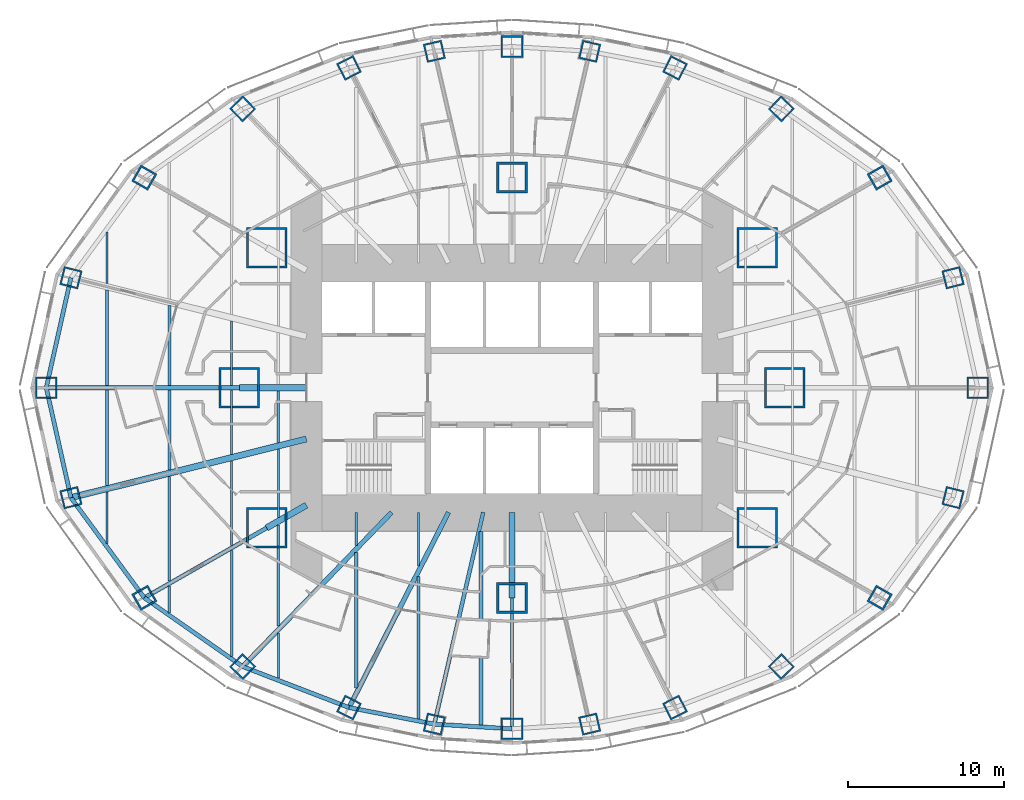
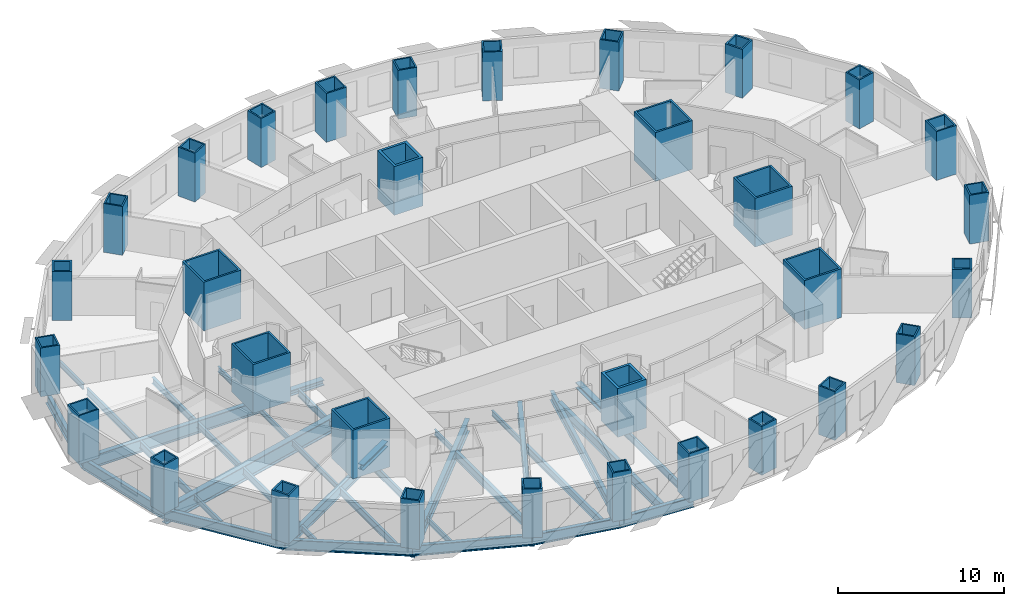
# One storey, part 1 of 15: 38 beams, 32 columns.
"""IFC4 building model written with IfcOpenShell, lengths in metres."""

from ifc_helpers import new_model, si_unit, direction, frame, origin, origin_2d, place, context, subcontext, project, spatial, rectangle, hollow_rectangle, i_section, extrude, material, material_profile, profile_set, type_object, element, save


model = new_model("IFC4")

# Units and contexts
model_context = context("Model", 3, precision=1e-05, world=origin(), true_north=direction((0.0, 1.0)))
body_context = subcontext(model_context, "Body", "Model", "MODEL_VIEW")
ifc_project = project(units=[si_unit("LENGTHUNIT", "METRE"), si_unit("AREAUNIT", "SQUARE_METRE"), si_unit("VOLUMEUNIT", "CUBIC_METRE"), si_unit("PLANEANGLEUNIT", "RADIAN"), si_unit("MASSUNIT", "GRAM", prefix="KILO")], contexts=[model_context])

# Site, building, storey
site_placement = place(None, origin())
site = spatial("IfcSite", under=ifc_project, at=site_placement, CompositionType="ELEMENT")
building_placement = place(site_placement, origin())
building = spatial("IfcBuilding", under=site, at=building_placement, Name="Lantaw Convention Tower", CompositionType="ELEMENT")
storey_placement = place(building_placement, frame((0.0, 0.0, 98.199951171875)))
storey = spatial("IfcBuildingStorey", under=building, at=storey_placement, Name="L23", CompositionType="ELEMENT", Elevation=98.199951171875)

# Columns
ifc_material_1 = material(Name="Steel EN 10025-3 S460N", Category="steel")
ifc_material_profile_1 = material_profile(ifc_material_1, hollow_rectangle(XDim=2.0, YDim=2.0, WallThickness=0.169921875, at=origin_2d()), Name="BOX2000X170")
ifc_material_2 = material(Name="Concrete C60/75", Category="concrete")
ifc_material_profile_2 = material_profile(ifc_material_2, rectangle(XDim=1.659912109375, YDim=1.659912109375, at=origin_2d()), Name="Concrete fill of BOX2000X170")
ifc_profile_set_1 = profile_set([ifc_material_profile_1, ifc_material_profile_2], Name="Steel EN 10025-3 S460N")
column_type_1 = type_object("IfcColumnType", Name="Column MC BOX2000X170", PredefinedType="COLUMN", material=ifc_profile_set_1)
for number, where, z_axis, x_axis, name in (
    (1, (0.0, 13.5, 0.0), (0.0, 0.0, 1.0), (1.0, 0.0, 0.0), "Mega column M3"),
    (2, (0.0, -13.5, 0.0), (0.0, 0.0, 1.0), (1.0, 0.0, 0.0), "Mega column M7"),
):
    element("IfcColumn", number, at=place(storey_placement, frame(where, z_axis=z_axis, x_axis=x_axis)), inside=storey, type_object=column_type_1, Name=name, PredefinedType="COLUMN", context=body_context, shape_type="SweptSolid", body=[
        extrude(hollow_rectangle(XDim=2.0, YDim=2.0, WallThickness=0.169921875, at=origin_2d()), origin(), (0.0, 0.0, 1.0), 3.60009765625),
    ])
ifc_material_profile_3 = material_profile(ifc_material_1, hollow_rectangle(XDim=2.60009765625, YDim=2.60009765625, WallThickness=0.1298828125, at=origin_2d()), Name="BOX2600X130")
ifc_material_profile_4 = material_profile(ifc_material_2, rectangle(XDim=2.340087890625, YDim=2.340087890625, at=origin_2d()), Name="Concrete fill of BOX2600X130")
ifc_profile_set_2 = profile_set([ifc_material_profile_3, ifc_material_profile_4], Name="Steel EN 10025-3 S460N")
column_type_2 = type_object("IfcColumnType", Name="Column MC BOX2600X130", PredefinedType="COLUMN", material=ifc_profile_set_2)
for number, where, z_axis, x_axis, name in (
    (3, (17.5, 0.0, 0.0), (0.0, 0.0, 1.0), (1.0, 0.0, 0.0), "Mega column M1"),
    (4, (15.75, 9.0, 0.0), (0.0, 0.0, 1.0), (1.0, 0.0, 0.0), "Mega column M2"),
    (5, (-15.75, 9.0, 0.0), (0.0, 0.0, 1.0), (1.0, 0.0, 0.0), "Mega column M4"),
    (6, (-17.5, 0.0, 0.0), (0.0, 0.0, 1.0), (1.0, 0.0, 0.0), "Mega column M5"),
    (7, (-15.75, -9.0, 0.0), (0.0, 0.0, 1.0), (1.0, 0.0, 0.0), "Mega column M6"),
    (8, (15.75, -9.0, 0.0), (0.0, 0.0, 1.0), (1.0, 0.0, 0.0), "Mega column M8"),
):
    element("IfcColumn", number, at=place(storey_placement, frame(where, z_axis=z_axis, x_axis=x_axis)), inside=storey, type_object=column_type_2, Name=name, PredefinedType="COLUMN", context=body_context, shape_type="SweptSolid", body=[
        extrude(hollow_rectangle(XDim=2.60009765625, YDim=2.60009765625, WallThickness=0.1298828125, at=origin_2d()), origin(), (0.0, 0.0, 1.0), 3.60009765625),
    ])
ifc_material_profile_5 = material_profile(ifc_material_1, hollow_rectangle(XDim=1.199951171875, YDim=1.199951171875, WallThickness=0.10009765625, at=origin_2d()), Name="BOX1200X100")
ifc_material_profile_6 = material_profile(ifc_material_2, rectangle(XDim=1.0, YDim=1.0, at=origin_2d()), Name="Concrete fill of BOX1200X100")
ifc_profile_set_3 = profile_set([ifc_material_profile_5, ifc_material_profile_6], Name="Steel EN 10025-3 S460N")
column_type_3 = type_object("IfcColumnType", Name="Column PC BOX1200X100", PredefinedType="COLUMN", material=ifc_profile_set_3)
for number, where, z_axis, x_axis, name in (
    (9, (28.31787109375, 7.060302734375, 0.0), (0.0, 0.0, 1.0), (0.970295726276, 0.2419218956, 0.0), "Perimeter column P2"),
    (10, (17.290771484375, 17.9052734375, 0.0), (0.0, 0.0, 1.0), (0.694658370459, 0.719339800339, 0.0), "Perimeter column P4"),
    (11, (10.462646484375, 20.533935546875, 0.0), (0.0, 0.0, 1.0), (0.45399049974, 0.891006524188, 0.0), "Perimeter column P5"),
    (12, (4.986328125, 21.59814453125, 0.0), (0.0, 0.0, 1.0), (0.224951054344, 0.974370064785, 0.0), "Perimeter column P6"),
    (13, (-4.986328125, 21.59814453125, 0.0), (0.0, 0.0, 1.0), (0.974370064785, 0.224951054344, 0.0), "Perimeter column P8"),
    (14, (-10.462646484375, 20.533935546875, 0.0), (0.0, 0.0, 1.0), (0.891006524188, 0.45399049974, 0.0), "Perimeter column P9"),
    (15, (-17.290771484375, 17.9052734375, 0.0), (0.0, 0.0, 1.0), (0.719339800339, 0.694658370459, 0.0), "Perimeter column P10"),
    (16, (-28.31787109375, 7.060302734375, 0.0), (0.0, 0.0, 1.0), (0.2419218956, 0.970295726276, 0.0), "Perimeter column P12"),
    (17, (-28.31787109375, -7.060302734375, 0.0), (0.0, 0.0, 1.0), (0.970295726276, 0.2419218956, 0.0), "Perimeter column P14"),
    (18, (-17.290771484375, -17.9052734375, 0.0), (0.0, 0.0, 1.0), (0.694658370459, 0.719339800339, 0.0), "Perimeter column P16"),
    (19, (-10.462646484375, -20.533935546875, 0.0), (0.0, 0.0, 1.0), (0.45399049974, 0.891006524188, 0.0), "Perimeter column P17"),
    (20, (-4.986328125, -21.59814453125, 0.0), (0.0, 0.0, 1.0), (0.224951054344, 0.974370064785, 0.0), "Perimeter column P18"),
    (21, (4.986328125, -21.59814453125, 0.0), (0.0, 0.0, 1.0), (0.974370064785, 0.224951054344, 0.0), "Perimeter column P20"),
    (22, (10.462646484375, -20.533935546875, 0.0), (0.0, 0.0, 1.0), (0.891006524188, 0.45399049974, 0.0), "Perimeter column P21"),
    (23, (17.290771484375, -17.9052734375, 0.0), (0.0, 0.0, 1.0), (0.719339800339, 0.694658370459, 0.0), "Perimeter column P22"),
    (24, (28.31787109375, -7.060302734375, 0.0), (0.0, 0.0, 1.0), (0.2419218956, 0.970295726276, 0.0), "Perimeter column P24"),
):
    element("IfcColumn", number, at=place(storey_placement, frame(where, z_axis=z_axis, x_axis=x_axis)), inside=storey, type_object=column_type_3, Name=name, PredefinedType="COLUMN", context=body_context, shape_type="SweptSolid", body=[
        extrude(hollow_rectangle(XDim=1.199951171875, YDim=1.199951171875, WallThickness=0.10009765625, at=origin_2d()), origin(), (0.0, 0.0, 1.0), 3.60009765625),
    ])
ifc_material_profile_7 = material_profile(ifc_material_1, hollow_rectangle(XDim=1.199951171875, YDim=1.199951171875, WallThickness=0.1201171875, at=origin_2d()), Name="BOX1200X120")
ifc_material_profile_8 = material_profile(ifc_material_2, rectangle(XDim=0.9599609375, YDim=0.9599609375, at=origin_2d()), Name="Concrete fill of BOX1200X120")
ifc_profile_set_4 = profile_set([ifc_material_profile_7, ifc_material_profile_8], Name="Steel EN 10025-3 S460N")
column_type_4 = type_object("IfcColumnType", Name="Column PC BOX1200X120", PredefinedType="COLUMN", material=ifc_profile_set_4)
for number, where, z_axis, x_axis, name in (
    (25, (23.60498046875, 13.488525390625, 0.0), (0.0, 0.0, 1.0), (0.86824298017, 0.496139221777, 0.0), "Perimeter column P3"),
    (26, (-23.60498046875, 13.488525390625, 0.0), (0.0, 0.0, 1.0), (0.496139221777, 0.86824298017, 0.0), "Perimeter column P11"),
    (27, (-23.60498046875, -13.488525390625, 0.0), (0.0, 0.0, 1.0), (0.86824298017, 0.496139221777, 0.0), "Perimeter column P15"),
    (28, (23.60498046875, -13.488525390625, 0.0), (0.0, 0.0, 1.0), (0.496139221777, 0.86824298017, 0.0), "Perimeter column P23"),
):
    element("IfcColumn", number, at=place(storey_placement, frame(where, z_axis=z_axis, x_axis=x_axis)), inside=storey, type_object=column_type_4, Name=name, PredefinedType="COLUMN", context=body_context, shape_type="SweptSolid", body=[
        extrude(hollow_rectangle(XDim=1.199951171875, YDim=1.199951171875, WallThickness=0.1201171875, at=origin_2d()), origin(), (0.0, 0.0, 1.0), 3.60009765625),
    ])
ifc_material_profile_9 = material_profile(ifc_material_1, hollow_rectangle(XDim=1.39990234375, YDim=1.39990234375, WallThickness=0.10009765625, at=origin_2d()), Name="BOX1400X100")
ifc_material_profile_10 = material_profile(ifc_material_2, rectangle(XDim=1.199951171875, YDim=1.199951171875, at=origin_2d()), Name="Concrete fill of BOX1400X100")
ifc_profile_set_5 = profile_set([ifc_material_profile_9, ifc_material_profile_10], Name="Steel EN 10025-3 S460N")
column_type_5 = type_object("IfcColumnType", Name="Column PC BOX1400X100", PredefinedType="COLUMN", material=ifc_profile_set_5)
for number, where, z_axis, x_axis, name in (
    (29, (29.89990234375, 0.0, 0.0), (0.0, 0.0, 1.0), (1.0, 0.0, 0.0), "Perimeter column P1"),
    (30, (0.0, 21.89990234375, 0.0), (0.0, 0.0, 1.0), (1.0, 0.0, 0.0), "Perimeter column P7"),
    (31, (-29.89990234375, 0.0, 0.0), (0.0, 0.0, 1.0), (1.0, 0.0, 0.0), "Perimeter column P13"),
    (32, (0.0, -21.89990234375, 0.0), (0.0, 0.0, 1.0), (1.0, 0.0, 0.0), "Perimeter column P19"),
):
    element("IfcColumn", number, at=place(storey_placement, frame(where, z_axis=z_axis, x_axis=x_axis)), inside=storey, type_object=column_type_5, Name=name, PredefinedType="COLUMN", context=body_context, shape_type="SweptSolid", body=[
        extrude(hollow_rectangle(XDim=1.39990234375, YDim=1.39990234375, WallThickness=0.10009765625, at=origin_2d()), origin(), (0.0, 0.0, 1.0), 3.60009765625),
    ])

# Beams
ifc_material_3 = material(Name="Steel ASTM A992", Category="steel")
ifc_material_profile_11 = material_profile(ifc_material_3, i_section(OverallWidth=0.2666015625, OverallDepth=0.76953125, WebThickness=0.015625, FlangeThickness=0.025390625, FilletRadius=0.0126953125, at=origin_2d()), Name="W30X132")
ifc_profile_set_6 = profile_set([ifc_material_profile_11], Name="Steel ASTM A992")
beam_type_1 = type_object("IfcBeamType", Name="Beam E W30X132", PredefinedType="SPANDREL", material=ifc_profile_set_6)
for number, where, z_axis, x_axis, name in (
    (33, (-28.31787109375, 7.060302734375, -0.53466796875), (-0.218652184873, -0.975802860239, 0.0), (0.975802860239, -0.218652184873, 0.0), "Edge beam 12"),
    (34, (-29.89990234375, 0.0, -0.53466796875), (0.218652184873, -0.975802860239, 0.0), (0.975802860239, 0.218652184873, 0.0), "Edge beam 13"),
):
    element("IfcBeam", number, at=place(storey_placement, frame(where, z_axis=z_axis, x_axis=x_axis)), inside=storey, type_object=beam_type_1, Name=name, PredefinedType="SPANDREL", context=body_context, shape_type="SweptSolid", body=[
        extrude(i_section(OverallWidth=0.2666015625, OverallDepth=0.76953125, WebThickness=0.015625, FlangeThickness=0.025390625, FilletRadius=0.0126953125, at=origin_2d()), origin(), (0.0, 0.0, 1.0), 7.2353515625),
    ])
beam_1_placement = place(storey_placement, frame((-28.31787109375, -7.060302734375, -0.53466796875), z_axis=(0.591270709086, -0.806473154281, 0.0), x_axis=(0.806473154281, 0.591270709086, 0.0)))
element("IfcBeam", 35, at=beam_1_placement, inside=storey, type_object=beam_type_1, Name="Edge beam 14", PredefinedType="SPANDREL", context=body_context, shape_type="SweptSolid", body=[
    extrude(i_section(OverallWidth=0.2666015625, OverallDepth=0.76953125, WebThickness=0.015625, FlangeThickness=0.025390625, FilletRadius=0.0126953125, at=origin_2d()), origin(), (0.0, 0.0, 1.0), 7.970703125),
])
beam_2_placement = place(storey_placement, frame((-23.60498046875, -13.488525390625, -0.53466796875), z_axis=(0.81942686407, -0.57318375277, 0.0), x_axis=(0.57318375277, 0.81942686407, 0.0)))
element("IfcBeam", 36, at=beam_2_placement, inside=storey, type_object=beam_type_1, Name="Edge beam 15", PredefinedType="SPANDREL", context=body_context, shape_type="SweptSolid", body=[
    extrude(i_section(OverallWidth=0.2666015625, OverallDepth=0.76953125, WebThickness=0.015625, FlangeThickness=0.025390625, FilletRadius=0.0126953125, at=origin_2d()), origin(), (0.0, 0.0, 1.0), 7.70556640625),
])
beam_3_placement = place(storey_placement, frame((-17.290771484375, -17.9052734375, -0.53466796875), z_axis=(0.933232900641, -0.359271976588, 0.0), x_axis=(0.359271976588, 0.933232900641, 0.0)))
element("IfcBeam", 37, at=beam_3_placement, inside=storey, type_object=beam_type_1, Name="Edge beam 16", PredefinedType="SPANDREL", context=body_context, shape_type="SweptSolid", body=[
    extrude(i_section(OverallWidth=0.2666015625, OverallDepth=0.76953125, WebThickness=0.015625, FlangeThickness=0.025390625, FilletRadius=0.0126953125, at=origin_2d()), origin(), (0.0, 0.0, 1.0), 7.316650390625),
])
beam_4_placement = place(storey_placement, frame((-10.462646484375, -20.533935546875, -0.53466796875), z_axis=(0.981636565323, -0.190760723474, 0.0), x_axis=(0.190760723474, 0.981636565323, 0.0)))
element("IfcBeam", 38, at=beam_4_placement, inside=storey, type_object=beam_type_1, Name="Edge beam 17", PredefinedType="SPANDREL", context=body_context, shape_type="SweptSolid", body=[
    extrude(i_section(OverallWidth=0.2666015625, OverallDepth=0.76953125, WebThickness=0.015625, FlangeThickness=0.025390625, FilletRadius=0.0126953125, at=origin_2d()), origin(), (0.0, 0.0, 1.0), 5.578857421875),
])
beam_5_placement = place(storey_placement, frame((-4.986328125, -21.59814453125, -0.53466796875), z_axis=(0.998173858406, -0.060406526096, 0.0), x_axis=(0.060406526096, 0.998173858406, 0.0)))
element("IfcBeam", 39, at=beam_5_placement, inside=storey, type_object=beam_type_1, Name="Edge beam 18", PredefinedType="SPANDREL", context=body_context, shape_type="SweptSolid", body=[
    extrude(i_section(OverallWidth=0.2666015625, OverallDepth=0.76953125, WebThickness=0.015625, FlangeThickness=0.025390625, FilletRadius=0.0126953125, at=origin_2d()), origin(), (0.0, 0.0, 1.0), 4.995361328125),
])
ifc_material_profile_12 = material_profile(ifc_material_3, i_section(OverallWidth=0.1650390625, OverallDepth=0.52587890625, WebThickness=0.0087890625, FlangeThickness=0.011474609375, FilletRadius=0.0126953125, at=origin_2d()), Name="W21X44")
ifc_profile_set_7 = profile_set([ifc_material_profile_12], Name="Steel ASTM A992")
beam_type_2 = type_object("IfcBeamType", Name="Beam G W21X44", PredefinedType="BEAM", material=ifc_profile_set_7)
beam_6_placement = place(storey_placement, frame((0.0, -13.5, -0.412841796875), z_axis=(0.0, -1.0, 0.0), x_axis=(1.0, 0.0, 0.0)))
element("IfcBeam", 40, at=beam_6_placement, inside=storey, type_object=beam_type_2, Name="Floor girder on ray 19", PredefinedType="BEAM", context=body_context, shape_type="SweptSolid", body=[
    extrude(i_section(OverallWidth=0.1650390625, OverallDepth=0.52587890625, WebThickness=0.0087890625, FlangeThickness=0.011474609375, FilletRadius=0.0126953125, at=origin_2d()), origin(), (0.0, 0.0, 1.0), 8.39990234375),
])
ifc_material_profile_13 = material_profile(ifc_material_3, i_section(OverallWidth=0.25390625, OverallDepth=0.683349609375, WebThickness=0.012451171875, FlangeThickness=0.01904296875, FilletRadius=0.01513671875, at=origin_2d()), Name="W27X94")
ifc_profile_set_8 = profile_set([ifc_material_profile_13], Name="Steel ASTM A992")
beam_type_3 = type_object("IfcBeamType", Name="Beam G W27X94", PredefinedType="BEAM", material=ifc_profile_set_8)
beam_7_placement = place(storey_placement, frame((-1.846923828125, -8.0, -0.49169921875), z_axis=(-0.224952773175, -0.97436966796, 0.0), x_axis=(0.97436966796, -0.224952773175, 0.0)))
element("IfcBeam", 41, at=beam_7_placement, inside=storey, type_object=beam_type_3, Name="Floor girder on ray 18", PredefinedType="BEAM", context=body_context, shape_type="SweptSolid", body=[
    extrude(i_section(OverallWidth=0.25390625, OverallDepth=0.683349609375, WebThickness=0.012451171875, FlangeThickness=0.01904296875, FilletRadius=0.01513671875, at=origin_2d()), origin(), (0.0, 0.0, 1.0), 13.955810546875),
])
ifc_material_profile_14 = material_profile(ifc_material_3, i_section(OverallWidth=0.2666015625, OverallDepth=0.7568359375, WebThickness=0.013916015625, FlangeThickness=0.019287109375, FilletRadius=0.0126953125, at=origin_2d()), Name="W30X108")
ifc_profile_set_9 = profile_set([ifc_material_profile_14], Name="Steel ASTM A992")
beam_type_4 = type_object("IfcBeamType", Name="Beam G W30X108", PredefinedType="BEAM", material=ifc_profile_set_9)
beam_8_placement = place(storey_placement, frame((-15.75, -9.0, -0.5283203125), z_axis=(-0.868244802791, -0.496136032179, 0.0), x_axis=(0.496136032179, -0.868244802791, 0.0)))
element("IfcBeam", 42, at=beam_8_placement, inside=storey, type_object=beam_type_4, Name="Floor girder on ray 15", PredefinedType="BEAM", context=body_context, shape_type="SweptSolid", body=[
    extrude(i_section(OverallWidth=0.2666015625, OverallDepth=0.7568359375, WebThickness=0.013916015625, FlangeThickness=0.019287109375, FilletRadius=0.0126953125, at=origin_2d()), origin(), (0.0, 0.0, 1.0), 9.046875),
])
ifc_material_profile_15 = material_profile(ifc_material_3, i_section(OverallWidth=0.307373046875, OverallDepth=0.922119140625, WebThickness=0.018310546875, FlangeThickness=0.030029296875, FilletRadius=0.0126953125, at=origin_2d()), Name="W36X182")
ifc_profile_set_10 = profile_set([ifc_material_profile_15], Name="Steel ASTM A992")
beam_type_5 = type_object("IfcBeamType", Name="Beam G W36X182", PredefinedType="BEAM", material=ifc_profile_set_10)
beam_9_placement = place(storey_placement, frame((-17.5, 0.0, -0.61083984375), z_axis=(-1.0, 0.0, 0.0), x_axis=(0.0, -1.0, 0.0)))
element("IfcBeam", 43, at=beam_9_placement, inside=storey, type_object=beam_type_5, Name="Floor girder on ray 13", PredefinedType="BEAM", context=body_context, shape_type="SweptSolid", body=[
    extrude(i_section(OverallWidth=0.307373046875, OverallDepth=0.922119140625, WebThickness=0.018310546875, FlangeThickness=0.030029296875, FilletRadius=0.0126953125, at=origin_2d()), origin(), (0.0, 0.0, 1.0), 12.39990234375),
])
beam_10_placement = place(storey_placement, frame((-7.7255859375, -8.0, -0.61083984375), z_axis=(-0.694649884291, -0.719347995239, 0.0), x_axis=(0.719347995239, -0.694649884291, 0.0)))
element("IfcBeam", 44, at=beam_10_placement, inside=storey, type_object=beam_type_5, Name="Floor girder on ray 16", PredefinedType="BEAM", context=body_context, shape_type="SweptSolid", body=[
    extrude(i_section(OverallWidth=0.307373046875, OverallDepth=0.922119140625, WebThickness=0.018310546875, FlangeThickness=0.030029296875, FilletRadius=0.0126953125, at=origin_2d()), origin(), (0.0, 0.0, 1.0), 13.769775390625),
])
beam_11_placement = place(storey_placement, frame((-4.076171875, -8.0, -0.61083984375), z_axis=(-0.453997016122, -0.891003203896, 0.0), x_axis=(0.891003203896, -0.453997016122, 0.0)))
element("IfcBeam", 45, at=beam_11_placement, inside=storey, type_object=beam_type_5, Name="Floor girder on ray 17", PredefinedType="BEAM", context=body_context, shape_type="SweptSolid", body=[
    extrude(i_section(OverallWidth=0.307373046875, OverallDepth=0.922119140625, WebThickness=0.018310546875, FlangeThickness=0.030029296875, FilletRadius=0.0126953125, at=origin_2d()), origin(), (0.0, 0.0, 1.0), 14.067138671875),
])
ifc_material_profile_16 = material_profile(ifc_material_3, i_section(OverallWidth=0.40380859375, OverallDepth=1.11767578125, WebThickness=0.026123046875, FlangeThickness=0.044921875, FilletRadius=0.02001953125, at=origin_2d()), Name="W44X335")
ifc_profile_set_11 = profile_set([ifc_material_profile_16], Name="Steel ASTM A992")
beam_type_6 = type_object("IfcBeamType", Name="Beam G W44X335", PredefinedType="BEAM", material=ifc_profile_set_11)
beam_12_placement = place(storey_placement, frame((-13.199951171875, -3.291015625, -0.708740234375), z_axis=(-0.970296233567, -0.241919860957, 0.0), x_axis=(0.241919860957, -0.970296233567, 0.0)))
element("IfcBeam", 46, at=beam_12_placement, inside=storey, type_object=beam_type_6, Name="Floor girder on ray 14", PredefinedType="BEAM", context=body_context, shape_type="SweptSolid", body=[
    extrude(i_section(OverallWidth=0.40380859375, OverallDepth=1.11767578125, WebThickness=0.026123046875, FlangeThickness=0.044921875, FilletRadius=0.02001953125, at=origin_2d()), origin(), (0.0, 0.0, 1.0), 15.580810546875),
])
ifc_material_profile_17 = material_profile(ifc_material_3, i_section(OverallWidth=0.40380859375, OverallDepth=0.406494140625, WebThickness=0.027099609375, FlangeThickness=0.043701171875, FilletRadius=0.01513671875, at=origin_2d()), Name="W14X233")
ifc_profile_set_12 = profile_set([ifc_material_profile_17], Name="Steel ASTM A992")
beam_type_7 = type_object("IfcBeamType", Name="Beam GM W14X233", PredefinedType="BEAM", material=ifc_profile_set_12)
beam_13_placement = place(storey_placement, frame((-13.199951171875, 0.0, -0.353271484375), z_axis=(-1.0, 0.0, 0.0), x_axis=(0.0, -1.0, 0.0)))
element("IfcBeam", 47, at=beam_13_placement, inside=storey, type_object=beam_type_7, Name="Core link beam on ray 13", PredefinedType="BEAM", context=body_context, shape_type="SweptSolid", body=[
    extrude(i_section(OverallWidth=0.40380859375, OverallDepth=0.406494140625, WebThickness=0.027099609375, FlangeThickness=0.043701171875, FilletRadius=0.01513671875, at=origin_2d()), origin(), (0.0, 0.0, 1.0), 4.300048828125),
])
beam_14_placement = place(storey_placement, frame((-13.199951171875, -7.54296875, -0.353271484375), z_axis=(-0.868263603466, -0.496103129295, 0.0), x_axis=(0.496103129295, -0.868263603466, 0.0)))
element("IfcBeam", 48, at=beam_14_placement, inside=storey, type_object=beam_type_7, Name="Core link beam on ray 15", PredefinedType="BEAM", context=body_context, shape_type="SweptSolid", body=[
    extrude(i_section(OverallWidth=0.40380859375, OverallDepth=0.406494140625, WebThickness=0.027099609375, FlangeThickness=0.043701171875, FilletRadius=0.01513671875, at=origin_2d()), origin(), (0.0, 0.0, 1.0), 2.93701171875),
])
beam_15_placement = place(storey_placement, frame((0.0, -8.0, -0.353271484375), z_axis=(0.0, -1.0, 0.0), x_axis=(1.0, 0.0, 0.0)))
element("IfcBeam", 49, at=beam_15_placement, inside=storey, type_object=beam_type_7, Name="Core link beam on ray 19", PredefinedType="BEAM", context=body_context, shape_type="SweptSolid", body=[
    extrude(i_section(OverallWidth=0.40380859375, OverallDepth=0.406494140625, WebThickness=0.027099609375, FlangeThickness=0.043701171875, FilletRadius=0.01513671875, at=origin_2d()), origin(), (0.0, 0.0, 1.0), 5.5),
])
ifc_material_profile_18 = material_profile(ifc_material_3, i_section(OverallWidth=0.140380859375, OverallDepth=0.40380859375, WebThickness=0.007080078125, FlangeThickness=0.01123046875, FilletRadius=0.01025390625, at=origin_2d()), Name="W16X31")
ifc_profile_set_13 = profile_set([ifc_material_profile_18], Name="Steel ASTM A992")
beam_type_8 = type_object("IfcBeamType", Name="Beam J W16X31", PredefinedType="JOIST", material=ifc_profile_set_13)
for number, where, z_axis, x_axis, name in (
    (50, (-26.0, -9.996337890625, -0.351806640625), (0.0, 1.0, 0.0), (-1.0, 0.0, 0.0), "Floor joist"),
    (51, (-26.0, 6.690673828125, -0.351806640625), (0.0, 1.0, 0.0), (-1.0, 0.0, 0.0), "Floor joist"),
):
    element("IfcBeam", number, at=place(storey_placement, frame(where, z_axis=z_axis, x_axis=x_axis)), inside=storey, type_object=beam_type_8, Name=name, PredefinedType="JOIST", context=body_context, shape_type="SweptSolid", body=[
        extrude(i_section(OverallWidth=0.140380859375, OverallDepth=0.40380859375, WebThickness=0.007080078125, FlangeThickness=0.01123046875, FilletRadius=0.01025390625, at=origin_2d()), origin(), (0.0, 0.0, 1.0), 3.3056640625),
    ])
beam_16_placement = place(storey_placement, frame((-22.0, -14.448486328125, -0.351806640625), z_axis=(0.0, 1.0, 0.0), x_axis=(-1.0, 0.0, 0.0)))
element("IfcBeam", 52, at=beam_16_placement, inside=storey, type_object=beam_type_8, Name="Floor joist", PredefinedType="JOIST", context=body_context, shape_type="SweptSolid", body=[
    extrude(i_section(OverallWidth=0.140380859375, OverallDepth=0.40380859375, WebThickness=0.007080078125, FlangeThickness=0.01123046875, FilletRadius=0.01025390625, at=origin_2d()), origin(), (0.0, 0.0, 1.0), 1.723388671875),
])
beam_17_placement = place(storey_placement, frame((-18.0, -10.132080078125, -0.351806640625), z_axis=(0.0, 1.0, 0.0), x_axis=(-1.0, 0.0, 0.0)))
element("IfcBeam", 53, at=beam_17_placement, inside=storey, type_object=beam_type_8, Name="Floor joist", PredefinedType="JOIST", context=body_context, shape_type="SweptSolid", body=[
    extrude(i_section(OverallWidth=0.140380859375, OverallDepth=0.40380859375, WebThickness=0.007080078125, FlangeThickness=0.01123046875, FilletRadius=0.01025390625, at=origin_2d()), origin(), (0.0, 0.0, 1.0), 5.43603515625),
])
for number, where, z_axis, x_axis, name in (
    (54, (-18.0, -4.27978515625, -0.351806640625), (0.0, 1.0, 0.0), (-1.0, 0.0, 0.0), "Floor joist"),
    (55, (-18.0, 0.153564453125, -0.351806640625), (0.0, 1.0, 0.0), (-1.0, 0.0, 0.0), "Floor joist"),
):
    element("IfcBeam", number, at=place(storey_placement, frame(where, z_axis=z_axis, x_axis=x_axis)), inside=storey, type_object=beam_type_8, Name=name, PredefinedType="JOIST", context=body_context, shape_type="SweptSolid", body=[
        extrude(i_section(OverallWidth=0.140380859375, OverallDepth=0.40380859375, WebThickness=0.007080078125, FlangeThickness=0.01123046875, FilletRadius=0.01025390625, at=origin_2d()), origin(), (0.0, 0.0, 1.0), 4.126220703125),
    ])
beam_18_placement = place(storey_placement, frame((-15.0, -18.644287109375, -0.351806640625), z_axis=(0.0, 1.0, 0.0), x_axis=(-1.0, 0.0, 0.0)))
element("IfcBeam", 56, at=beam_18_placement, inside=storey, type_object=beam_type_8, Name="Floor joist", PredefinedType="JOIST", context=body_context, shape_type="SweptSolid", body=[
    extrude(i_section(OverallWidth=0.140380859375, OverallDepth=0.40380859375, WebThickness=0.007080078125, FlangeThickness=0.01123046875, FilletRadius=0.01025390625, at=origin_2d()), origin(), (0.0, 0.0, 1.0), 2.89013671875),
])
beam_19_placement = place(storey_placement, frame((-15.0, -8.3388671875, -0.351806640625), z_axis=(0.0, 1.0, 0.0), x_axis=(-1.0, 0.0, 0.0)))
element("IfcBeam", 57, at=beam_19_placement, inside=storey, type_object=beam_type_8, Name="Floor joist", PredefinedType="JOIST", context=body_context, shape_type="SweptSolid", body=[
    extrude(i_section(OverallWidth=0.140380859375, OverallDepth=0.40380859375, WebThickness=0.007080078125, FlangeThickness=0.01123046875, FilletRadius=0.01025390625, at=origin_2d()), origin(), (0.0, 0.0, 1.0), 4.390869140625),
])
beam_20_placement = place(storey_placement, frame((-10.0, -10.134033203125, -0.351806640625), z_axis=(0.0, 1.0, 0.0), x_axis=(-1.0, 0.0, 0.0)))
element("IfcBeam", 58, at=beam_20_placement, inside=storey, type_object=beam_type_8, Name="Floor joist", PredefinedType="JOIST", context=body_context, shape_type="SweptSolid", body=[
    extrude(i_section(OverallWidth=0.140380859375, OverallDepth=0.40380859375, WebThickness=0.007080078125, FlangeThickness=0.01123046875, FilletRadius=0.01025390625, at=origin_2d()), origin(), (0.0, 0.0, 1.0), 2.134033203125),
])
beam_21_placement = place(storey_placement, frame((-6.0, -11.437255859375, -0.351806640625), z_axis=(0.0, 1.0, 0.0), x_axis=(-1.0, 0.0, 0.0)))
element("IfcBeam", 59, at=beam_21_placement, inside=storey, type_object=beam_type_8, Name="Floor joist", PredefinedType="JOIST", context=body_context, shape_type="SweptSolid", body=[
    extrude(i_section(OverallWidth=0.140380859375, OverallDepth=0.40380859375, WebThickness=0.007080078125, FlangeThickness=0.01123046875, FilletRadius=0.01025390625, at=origin_2d()), origin(), (0.0, 0.0, 1.0), 3.437255859375),
])
ifc_material_profile_19 = material_profile(ifc_material_3, i_section(OverallWidth=0.1904296875, OverallDepth=0.457275390625, WebThickness=0.009033203125, FlangeThickness=0.014404296875, FilletRadius=0.01025390625, at=origin_2d()), Name="W18X50")
ifc_profile_set_14 = profile_set([ifc_material_profile_19], Name="Steel ASTM A992")
beam_type_9 = type_object("IfcBeamType", Name="Beam J W18X50", PredefinedType="JOIST", material=ifc_profile_set_14)
for number, where, z_axis, x_axis, name in (
    (60, (-22.0, -5.277099609375, -0.378662109375), (0.0, 1.0, 0.0), (-1.0, 0.0, 0.0), "Floor joist"),
    (61, (-22.0, 0.153564453125, -0.378662109375), (0.0, 1.0, 0.0), (-1.0, 0.0, 0.0), "Floor joist"),
):
    element("IfcBeam", number, at=place(storey_placement, frame(where, z_axis=z_axis, x_axis=x_axis)), inside=storey, type_object=beam_type_9, Name=name, PredefinedType="JOIST", context=body_context, shape_type="SweptSolid", body=[
        extrude(i_section(OverallWidth=0.1904296875, OverallDepth=0.457275390625, WebThickness=0.009033203125, FlangeThickness=0.014404296875, FilletRadius=0.01025390625, at=origin_2d()), origin(), (0.0, 0.0, 1.0), 5.12353515625),
    ])
ifc_material_profile_20 = material_profile(ifc_material_3, i_section(OverallWidth=0.1650390625, OverallDepth=0.52587890625, WebThickness=0.0087890625, FlangeThickness=0.011474609375, FilletRadius=0.0126953125, at=origin_2d()), Name="W21X44")
ifc_profile_set_15 = profile_set([ifc_material_profile_20], Name="Steel ASTM A992")
beam_type_10 = type_object("IfcBeamType", Name="Beam J W21X44", PredefinedType="JOIST", material=ifc_profile_set_15)
beam_22_placement = place(storey_placement, frame((-22.0, -12.41796875, -0.412841796875), z_axis=(0.0, 1.0, 0.0), x_axis=(-1.0, 0.0, 0.0)))
element("IfcBeam", 62, at=beam_22_placement, inside=storey, type_object=beam_type_10, Name="Floor joist", PredefinedType="JOIST", context=body_context, shape_type="SweptSolid", body=[
    extrude(i_section(OverallWidth=0.1650390625, OverallDepth=0.52587890625, WebThickness=0.0087890625, FlangeThickness=0.011474609375, FilletRadius=0.0126953125, at=origin_2d()), origin(), (0.0, 0.0, 1.0), 6.724609375),
])
beam_23_placement = place(storey_placement, frame((-18.0, -17.246337890625, -0.412841796875), z_axis=(0.0, 1.0, 0.0), x_axis=(-1.0, 0.0, 0.0)))
element("IfcBeam", 63, at=beam_23_placement, inside=storey, type_object=beam_type_10, Name="Floor joist", PredefinedType="JOIST", context=body_context, shape_type="SweptSolid", body=[
    extrude(i_section(OverallWidth=0.1650390625, OverallDepth=0.52587890625, WebThickness=0.0087890625, FlangeThickness=0.011474609375, FilletRadius=0.0126953125, at=origin_2d()), origin(), (0.0, 0.0, 1.0), 6.80712890625),
])
beam_24_placement = place(storey_placement, frame((-15.0, -15.311767578125, -0.412841796875), z_axis=(0.0, 1.0, 0.0), x_axis=(-1.0, 0.0, 0.0)))
element("IfcBeam", 64, at=beam_24_placement, inside=storey, type_object=beam_type_10, Name="Floor joist", PredefinedType="JOIST", context=body_context, shape_type="SweptSolid", body=[
    extrude(i_section(OverallWidth=0.1650390625, OverallDepth=0.52587890625, WebThickness=0.0087890625, FlangeThickness=0.011474609375, FilletRadius=0.0126953125, at=origin_2d()), origin(), (0.0, 0.0, 1.0), 6.5078125),
])
ifc_material_profile_21 = material_profile(ifc_material_3, i_section(OverallWidth=0.165771484375, OverallDepth=0.5283203125, WebThickness=0.009765625, FlangeThickness=0.013671875, FilletRadius=0.012939453125, at=origin_2d()), Name="W21X50")
ifc_profile_set_16 = profile_set([ifc_material_profile_21], Name="Steel ASTM A992")
beam_type_11 = type_object("IfcBeamType", Name="Beam J W21X50", PredefinedType="JOIST", material=ifc_profile_set_16)
for number, where, z_axis, x_axis, name in (
    (65, (-26.0, -6.2744140625, -0.4140625), (0.0, 1.0, 0.0), (-1.0, 0.0, 0.0), "Floor joist"),
    (66, (-26.0, 0.153564453125, -0.4140625), (0.0, 1.0, 0.0), (-1.0, 0.0, 0.0), "Floor joist"),
):
    element("IfcBeam", number, at=place(storey_placement, frame(where, z_axis=z_axis, x_axis=x_axis)), inside=storey, type_object=beam_type_11, Name=name, PredefinedType="JOIST", context=body_context, shape_type="SweptSolid", body=[
        extrude(i_section(OverallWidth=0.165771484375, OverallDepth=0.5283203125, WebThickness=0.009765625, FlangeThickness=0.013671875, FilletRadius=0.012939453125, at=origin_2d()), origin(), (0.0, 0.0, 1.0), 6.120849609375),
    ])
beam_25_placement = place(storey_placement, frame((-15.0, -3.53173828125, -0.4140625), z_axis=(0.0, 1.0, 0.0), x_axis=(-1.0, 0.0, 0.0)))
element("IfcBeam", 67, at=beam_25_placement, inside=storey, type_object=beam_type_11, Name="Floor joist", PredefinedType="JOIST", context=body_context, shape_type="SweptSolid", body=[
    extrude(i_section(OverallWidth=0.165771484375, OverallDepth=0.5283203125, WebThickness=0.009765625, FlangeThickness=0.013671875, FilletRadius=0.012939453125, at=origin_2d()), origin(), (0.0, 0.0, 1.0), 3.329833984375),
])
ifc_material_profile_22 = material_profile(ifc_material_3, i_section(OverallWidth=0.2099609375, OverallDepth=0.535888671875, WebThickness=0.010986328125, FlangeThickness=0.017333984375, FilletRadius=0.012939453125, at=origin_2d()), Name="W21X68")
ifc_profile_set_17 = profile_set([ifc_material_profile_22], Name="Steel ASTM A992")
beam_type_12 = type_object("IfcBeamType", Name="Beam J W21X68", PredefinedType="JOIST", material=ifc_profile_set_17)
beam_26_placement = place(storey_placement, frame((-6.0, -21.26513671875, -0.41796875), z_axis=(0.0, 1.0, 0.0), x_axis=(-1.0, 0.0, 0.0)))
element("IfcBeam", 68, at=beam_26_placement, inside=storey, type_object=beam_type_12, Name="Floor joist", PredefinedType="JOIST", context=body_context, shape_type="SweptSolid", body=[
    extrude(i_section(OverallWidth=0.2099609375, OverallDepth=0.535888671875, WebThickness=0.010986328125, FlangeThickness=0.017333984375, FilletRadius=0.012939453125, at=origin_2d()), origin(), (0.0, 0.0, 1.0), 9.15087890625),
])
ifc_material_profile_23 = material_profile(ifc_material_3, i_section(OverallWidth=0.227783203125, OverallDepth=0.60205078125, WebThickness=0.010498046875, FlangeThickness=0.014892578125, FilletRadius=0.012939453125, at=origin_2d()), Name="W24X68")
ifc_profile_set_18 = profile_set([ifc_material_profile_23], Name="Steel ASTM A992")
beam_type_13 = type_object("IfcBeamType", Name="Beam J W24X68", PredefinedType="JOIST", material=ifc_profile_set_18)
beam_27_placement = place(storey_placement, frame((-10.0, -19.28759765625, -0.450927734375), z_axis=(0.0, 1.0, 0.0), x_axis=(-1.0, 0.0, 0.0)))
element("IfcBeam", 69, at=beam_27_placement, inside=storey, type_object=beam_type_13, Name="Floor joist", PredefinedType="JOIST", context=body_context, shape_type="SweptSolid", body=[
    extrude(i_section(OverallWidth=0.227783203125, OverallDepth=0.60205078125, WebThickness=0.010498046875, FlangeThickness=0.014892578125, FilletRadius=0.012939453125, at=origin_2d()), origin(), (0.0, 0.0, 1.0), 8.711181640625),
])
ifc_material_profile_24 = material_profile(ifc_material_3, i_section(OverallWidth=0.25390625, OverallDepth=0.700927734375, WebThickness=0.015380859375, FlangeThickness=0.02783203125, FilletRadius=0.01513671875, at=origin_2d()), Name="W27X129")
ifc_profile_set_19 = profile_set([ifc_material_profile_24], Name="Steel ASTM A992")
beam_type_14 = type_object("IfcBeamType", Name="Beam J W27X129", PredefinedType="JOIST", material=ifc_profile_set_19)
beam_28_placement = place(storey_placement, frame((-2.0, -21.645263671875, -0.50048828125), z_axis=(0.0, 1.0, 0.0), x_axis=(-1.0, 0.0, 0.0)))
element("IfcBeam", 70, at=beam_28_placement, inside=storey, type_object=beam_type_14, Name="Floor joist", PredefinedType="JOIST", context=body_context, shape_type="SweptSolid", body=[
    extrude(i_section(OverallWidth=0.25390625, OverallDepth=0.700927734375, WebThickness=0.015380859375, FlangeThickness=0.02783203125, FilletRadius=0.01513671875, at=origin_2d()), origin(), (0.0, 0.0, 1.0), 12.417724609375),
])

save(model, "model.ifc")
